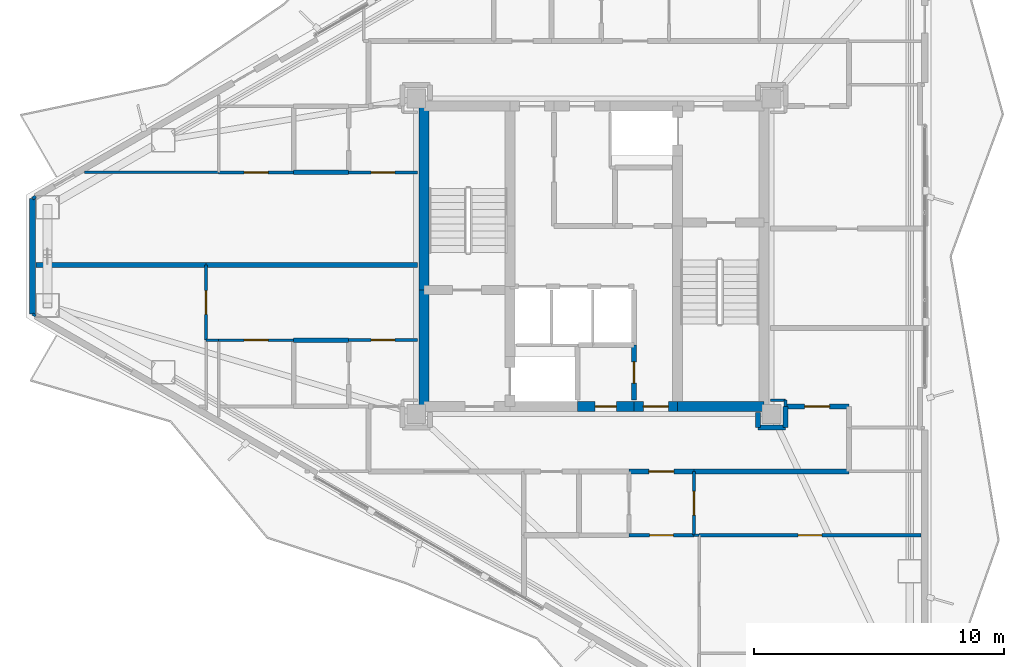
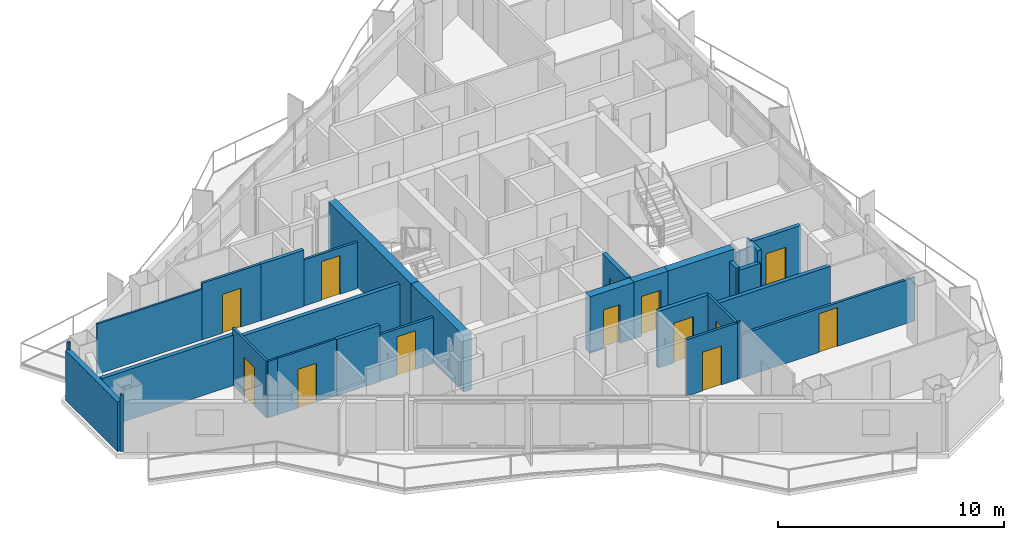
# One storey, part 13 of 19: 32 walls, 13 doors, 13 openings.
"""IFC4 building model written with IfcOpenShell, lengths in metres."""

from ifc_helpers import new_model, si_unit, direction, frame, frame_2d, origin, place, context, subcontext, project, spatial, rectangle, extrude, material, layer, layer_set, type_object, element, fill, save


model = new_model("IFC4")

# Units and contexts
model_context = context("Model", 3, precision=1e-05, world=origin(), true_north=direction((0.0, 1.0)))
body_context = subcontext(model_context, "Body", "Model", "MODEL_VIEW")
ifc_project = project(units=[si_unit("LENGTHUNIT", "METRE"), si_unit("AREAUNIT", "SQUARE_METRE"), si_unit("VOLUMEUNIT", "CUBIC_METRE"), si_unit("PLANEANGLEUNIT", "RADIAN"), si_unit("MASSUNIT", "GRAM", prefix="KILO")], contexts=[model_context])

# Site, building, storey
site_placement = place(None, origin())
site = spatial("IfcSite", under=ifc_project, at=site_placement, CompositionType="ELEMENT")
building_placement = place(site_placement, origin())
building = spatial("IfcBuilding", under=site, at=building_placement, Name="Mersakhor Tower and Convention Hall", CompositionType="ELEMENT")
storey_placement = place(building_placement, frame((0.0, 0.0, 124.5)))
storey = spatial("IfcBuildingStorey", under=building, at=storey_placement, Name="L34", CompositionType="ELEMENT", Elevation=124.5)

# Walls
ifc_material_1 = material(Name="Precast concrete C40/50", Category="concrete")
ifc_layer_1 = layer(ifc_material_1, 0.25)
ifc_layer_set_1 = layer_set([ifc_layer_1], Name="Precast concrete C40/50")
wall_type_1 = type_object("IfcWallType", Name="WL-EXT-250", PredefinedType="SOLIDWALL", material=ifc_layer_set_1)
wall_1_placement = place(storey_placement, frame((6.560302734375, 24.44140625, 0.0), z_axis=(0.0, 0.0, 1.0), x_axis=(0.0, 1.0, 0.0)))
element("IfcWall", 1, at=wall_1_placement, inside=storey, type_object=wall_type_1, Name="L34 Chamfer Braced Spandrel Wall C3", PredefinedType="SOLIDWALL", context=body_context, shape_type="SweptSolid", body=[
    extrude(rectangle(XDim=4.6171875, YDim=0.25, at=frame_2d((2.30859375, 0.0))), origin(), (0.0, 0.0, 1.0), 2.679931640625),
])
ifc_material_2 = material(Name="Moisture-resistant acoustic drywall studwork", Category="other")
ifc_layer_2 = layer(ifc_material_2, 0.175048828125)
ifc_layer_set_2 = layer_set([ifc_layer_2], Name="Moisture-resistant acoustic drywall studwork")
wall_type_2 = type_object("IfcWallType", Name="WL-PLM-175", PredefinedType="PLUMBINGWALL", material=ifc_layer_set_2)
for number, where, z_axis, x_axis, name in (
    (2, (19.199951171875, 30.10009765625, 0.0), (0.0, 0.0, 1.0), (-1.0, 0.0, 0.0), "L34 Interior Partition Wall P-080"),
    (3, (17.0, 23.39990234375, 0.0), (0.0, 0.0, 1.0), (1.0, 0.0, 0.0), "L34 Interior Partition Wall P-085"),
):
    element("IfcWall", number, at=place(storey_placement, frame(where, z_axis=z_axis, x_axis=x_axis)), inside=storey, type_object=wall_type_2, Name=name, PredefinedType="PLUMBINGWALL", context=body_context, shape_type="SweptSolid", body=[
        extrude(rectangle(XDim=2.199951171875, YDim=0.175048828125, at=frame_2d((1.10009765625, 0.0))), origin(), (0.0, 0.0, 1.0), 3.06005859375),
    ])
ifc_material_3 = material(Name="Lightweight gypsum partition", Category="other")
ifc_layer_3 = layer(ifc_material_3, 0.10009765625)
ifc_layer_set_3 = layer_set([ifc_layer_3], Name="Lightweight gypsum partition")
wall_type_3 = type_object("IfcWallType", Name="WL-PRT-100", PredefinedType="PARTITIONING", material=ifc_layer_set_3)
wall_2_placement = place(storey_placement, frame((33.199951171875, 15.60009765625, 0.0), z_axis=(0.0, 0.0, 1.0), x_axis=(-1.0, 0.0, 0.0)))
element("IfcWall", 4, at=wall_2_placement, inside=storey, type_object=wall_type_3, Name="L34 Interior Partition Wall P-078", PredefinedType="PARTITIONING", context=body_context, shape_type="SweptSolid", body=[
    extrude(rectangle(XDim=0.199951171875, YDim=0.10009765625, at=frame_2d((0.10009765625, 0.0))), origin(), (0.0, 0.0, 1.0), 3.06005859375),
])

# Wall, opening, door
wall_3_placement = place(storey_placement, frame((14.0, 23.39990234375, 0.0), z_axis=(0.0, 0.0, 1.0), x_axis=(1.0, 0.0, 0.0)))
wall_3 = element("IfcWall", 5, at=wall_3_placement, inside=storey, type_object=wall_type_3, Name="L34 Interior Partition Wall P-088", PredefinedType="PARTITIONING", context=body_context, shape_type="SweptSolid", body=[
    extrude(rectangle(XDim=3.0, YDim=0.10009765625, at=frame_2d((1.5, 0.0))), origin(), (0.0, 0.0, 1.0), 3.06005859375),
])
opening_1_placement = place(wall_3_placement, frame((1.02490234375, 0.0, 0.0)))
opening_1 = element("IfcOpeningElement", 6, at=opening_1_placement, cuts=wall_3, Name="Opening RD-01", PredefinedType="OPENING", context=body_context, shape_type="SweptSolid", body=[
    extrude(rectangle(XDim=0.949951171875, YDim=2.10009765625, at=frame_2d((0.47509765625, 1.050048828125))), frame((0.0, 0.06005859375, 0.0), z_axis=(0.0, -1.0, 0.0), x_axis=(1.0, 0.0, 0.0)), (0.0, 0.0, 1.0), 0.1201171875),
])
ifc_material_4 = material(Name="Solid-core hardwood leaf in painted steel frame", Category="steel")
door_type_1 = type_object("IfcDoorType", Name="DR-INT-RM-095x210", OperationType="NOTDEFINED", PredefinedType="DOOR", material=ifc_material_4)
door_1_placement = place(opening_1_placement, origin())
door_1 = element("IfcDoor", 7, at=door_1_placement, inside=storey, type_object=door_type_1, Name="L34 L34 Flat W4 Kitchen to L34 Flat W4 Living and Dining Room Door", OperationType="SINGLE_SWING_RIGHT", OverallHeight=2.10009765625, OverallWidth=0.949951171875, PredefinedType="DOOR", context=body_context, shape_type="SweptSolid", body=[
    extrude(rectangle(XDim=0.949951171875, YDim=2.10009765625, at=frame_2d((0.47509765625, 1.050048828125))), frame((0.0, 0.02490234375, 0.0), z_axis=(0.0, -1.0, 0.0), x_axis=(1.0, 0.0, 0.0)), (0.0, 0.0, 1.0), 0.050048828125),
])
fill(opening_1, door_1)

# Walls
wall_4_placement = place(storey_placement, frame((36.64990234375, 21.0, 0.0), z_axis=(0.0, 0.0, 1.0), x_axis=(-1.0, 0.0, 0.0)))
element("IfcWall", 8, at=wall_4_placement, inside=storey, type_object=wall_type_3, Name="L34 Interior Partition Wall P-104", PredefinedType="PARTITIONING", context=body_context, shape_type="SweptSolid", body=[
    extrude(rectangle(XDim=0.599853515625, YDim=0.10009765625, at=frame_2d((0.2998046875, 0.0))), origin(), (0.0, 0.0, 1.0), 2.50830078125),
])
wall_5_placement = place(storey_placement, frame((8.634765625, 30.10009765625, 0.0), z_axis=(0.0, 0.0, 1.0), x_axis=(1.0, 0.0, 0.0)))
element("IfcWall", 9, at=wall_5_placement, inside=storey, type_object=wall_type_3, Name="L34 Interior Partition Wall P-120", PredefinedType="PARTITIONING", context=body_context, shape_type="SweptSolid", body=[
    extrude(rectangle(XDim=5.365234375, YDim=0.10009765625, at=frame_2d((2.6826171875, 0.0))), origin(), (0.0, 0.0, 1.0), 2.724609375),
])
wall_6_placement = place(storey_placement, frame((14.0, 23.39990234375, 0.0), z_axis=(0.0, 0.0, 1.0), x_axis=(-1.0, 0.0, 0.0)))
element("IfcWall", 10, at=wall_6_placement, inside=storey, type_object=wall_type_3, Name="L34 Interior Partition Wall P-124", PredefinedType="PARTITIONING", context=body_context, shape_type="SweptSolid", body=[
    extrude(rectangle(XDim=0.5, YDim=0.10009765625, at=frame_2d((0.25, 0.0))), origin(), (0.0, 0.0, 1.0), 3.06005859375),
])
wall_7_placement = place(storey_placement, frame((6.68994140625, 24.365966796875, 0.0), z_axis=(0.0, 0.0, 1.0), x_axis=(-0.866131372301, 0.499816412211, 0.0)))
element("IfcWall", 11, at=wall_7_placement, inside=storey, type_object=wall_type_3, Name="L34 Interior Partition Wall P-128", PredefinedType="PARTITIONING", context=body_context, shape_type="SweptSolid", body=[
    extrude(rectangle(XDim=0.14990234375, YDim=0.10009765625, at=frame_2d((0.074951171875, 0.0))), origin(), (0.0, 0.0, 1.0), 3.06005859375),
])

# Wall, opening, door
ifc_material_5 = material(Name="Gypsum board acoustic partition", Category="other")
ifc_layer_4 = layer(ifc_material_5, 0.125)
ifc_layer_set_4 = layer_set([ifc_layer_4], Name="Gypsum board acoustic partition")
wall_type_4 = type_object("IfcWallType", Name="WL-PRT-125", PredefinedType="PARTITIONING", material=ifc_layer_set_4)
wall_8_placement = place(storey_placement, frame((33.0, 15.60009765625, 0.0), z_axis=(0.0, 0.0, 1.0), x_axis=(-1.0, 0.0, 0.0)))
wall_8 = element("IfcWall", 12, at=wall_8_placement, inside=storey, type_object=wall_type_4, Name="L34 Interior Partition Wall P-053", PredefinedType="PARTITIONING", context=body_context, shape_type="SweptSolid", body=[
    extrude(rectangle(XDim=2.60009765625, YDim=0.125, at=frame_2d((1.300048828125, 0.0))), origin(), (0.0, 0.0, 1.0), 3.06005859375),
])
opening_2_placement = place(wall_8_placement, frame((0.824951171875, 0.0, 0.0)))
opening_2 = element("IfcOpeningElement", 13, at=opening_2_placement, cuts=wall_8, Name="Opening RD-01", PredefinedType="OPENING", context=body_context, shape_type="SweptSolid", body=[
    extrude(rectangle(XDim=0.949951171875, YDim=2.10009765625, at=frame_2d((0.47509765625, 1.050048828125))), frame((0.0, 0.072509765625, 0.0), z_axis=(0.0, -1.0, 0.0), x_axis=(1.0, 0.0, 0.0)), (0.0, 0.0, 1.0), 0.14501953125),
])
door_2_placement = place(opening_2_placement, origin())
door_2 = element("IfcDoor", 14, at=door_2_placement, inside=storey, type_object=door_type_1, Name="L34 L34 Flat S2 Apartment Hall to L34 Flat S2 Living and Dining Room Door", OperationType="SINGLE_SWING_LEFT", OverallHeight=2.10009765625, OverallWidth=0.949951171875, PredefinedType="DOOR", context=body_context, shape_type="SweptSolid", body=[
    extrude(rectangle(XDim=0.949951171875, YDim=2.10009765625, at=frame_2d((0.47509765625, 1.050048828125))), frame((0.0, 0.02490234375, 0.0), z_axis=(0.0, -1.0, 0.0), x_axis=(1.0, 0.0, 0.0)), (0.0, 0.0, 1.0), 0.050048828125),
])
fill(opening_2, door_2)

wall_9_placement = place(storey_placement, frame((33.0, 18.14990234375, 0.0), z_axis=(0.0, 0.0, 1.0), x_axis=(0.0, -1.0, 0.0)))
wall_9 = element("IfcWall", 15, at=wall_9_placement, inside=storey, type_object=wall_type_4, Name="L34 Interior Partition Wall P-055", PredefinedType="PARTITIONING", context=body_context, shape_type="SweptSolid", body=[
    extrude(rectangle(XDim=2.5498046875, YDim=0.125, at=frame_2d((1.27490234375, 0.0))), origin(), (0.0, 0.0, 1.0), 3.06005859375),
])
opening_3_placement = place(wall_9_placement, frame((0.800048828125, 0.0, 0.0)))
opening_3 = element("IfcOpeningElement", 16, at=opening_3_placement, cuts=wall_9, Name="Opening RD-01", PredefinedType="OPENING", context=body_context, shape_type="SweptSolid", body=[
    extrude(rectangle(XDim=0.949951171875, YDim=2.10009765625, at=frame_2d((0.47509765625, 1.050048828125))), frame((0.0, 0.072509765625, 0.0), z_axis=(0.0, -1.0, 0.0), x_axis=(1.0, 0.0, 0.0)), (0.0, 0.0, 1.0), 0.14501953125),
])
door_3_placement = place(opening_3_placement, origin())
door_3 = element("IfcDoor", 17, at=door_3_placement, inside=storey, type_object=door_type_1, Name="L34 L34 Flat S2 Apartment Hall to L34 Flat S2 Kitchen Door", OperationType="SINGLE_SWING_RIGHT", OverallHeight=2.10009765625, OverallWidth=0.949951171875, PredefinedType="DOOR", context=body_context, shape_type="SweptSolid", body=[
    extrude(rectangle(XDim=0.949951171875, YDim=2.10009765625, at=frame_2d((0.47509765625, 1.050048828125))), frame((0.0, 0.02490234375, 0.0), z_axis=(0.0, -1.0, 0.0), x_axis=(1.0, 0.0, 0.0)), (0.0, 0.0, 1.0), 0.050048828125),
])
fill(opening_3, door_3)

wall_10_placement = place(storey_placement, frame((21.949951171875, 30.10009765625, 0.0), z_axis=(0.0, 0.0, 1.0), x_axis=(-1.0, 0.0, 0.0)))
wall_10 = element("IfcWall", 18, at=wall_10_placement, inside=storey, type_object=wall_type_4, Name="L34 Interior Partition Wall P-057", PredefinedType="PARTITIONING", context=body_context, shape_type="SweptSolid", body=[
    extrude(rectangle(XDim=2.75, YDim=0.125, at=frame_2d((1.375, 0.0))), origin(), (0.0, 0.0, 1.0), 2.50830078125),
])
opening_4_placement = place(wall_10_placement, frame((0.89990234375, 0.0, 0.0)))
opening_4 = element("IfcOpeningElement", 19, at=opening_4_placement, cuts=wall_10, Name="Opening RD-01", PredefinedType="OPENING", context=body_context, shape_type="SweptSolid", body=[
    extrude(rectangle(XDim=0.949951171875, YDim=2.10009765625, at=frame_2d((0.47509765625, 1.050048828125))), frame((0.0, 0.072509765625, 0.0), z_axis=(0.0, -1.0, 0.0), x_axis=(1.0, 0.0, 0.0)), (0.0, 0.0, 1.0), 0.14501953125),
])
door_4_placement = place(opening_4_placement, origin())
door_4 = element("IfcDoor", 20, at=door_4_placement, inside=storey, type_object=door_type_1, Name="L34 L34 Flat W3 Apartment Hall to L34 Flat W3 Studio Living and Sleeping Room Door", OperationType="SINGLE_SWING_LEFT", OverallHeight=2.10009765625, OverallWidth=0.949951171875, PredefinedType="DOOR", context=body_context, shape_type="SweptSolid", body=[
    extrude(rectangle(XDim=0.949951171875, YDim=2.10009765625, at=frame_2d((0.47509765625, 1.050048828125))), frame((0.0, 0.02490234375, 0.0), z_axis=(0.0, -1.0, 0.0), x_axis=(1.0, 0.0, 0.0)), (0.0, 0.0, 1.0), 0.050048828125),
])
fill(opening_4, door_4)

wall_11_placement = place(storey_placement, frame((19.199951171875, 23.39990234375, 0.0), z_axis=(0.0, 0.0, 1.0), x_axis=(1.0, 0.0, 0.0)))
wall_11 = element("IfcWall", 21, at=wall_11_placement, inside=storey, type_object=wall_type_4, Name="L34 Interior Partition Wall P-063", PredefinedType="PARTITIONING", context=body_context, shape_type="SweptSolid", body=[
    extrude(rectangle(XDim=2.75, YDim=0.125, at=frame_2d((1.375, 0.0))), origin(), (0.0, 0.0, 1.0), 2.50830078125),
])
opening_5_placement = place(wall_11_placement, frame((0.89990234375, 0.0, 0.0)))
opening_5 = element("IfcOpeningElement", 22, at=opening_5_placement, cuts=wall_11, Name="Opening RD-01", PredefinedType="OPENING", context=body_context, shape_type="SweptSolid", body=[
    extrude(rectangle(XDim=0.949951171875, YDim=2.10009765625, at=frame_2d((0.47509765625, 1.050048828125))), frame((0.0, 0.072509765625, 0.0), z_axis=(0.0, -1.0, 0.0), x_axis=(1.0, 0.0, 0.0)), (0.0, 0.0, 1.0), 0.14501953125),
])
door_5_placement = place(opening_5_placement, origin())
door_5 = element("IfcDoor", 23, at=door_5_placement, inside=storey, type_object=door_type_1, Name="L34 L34 Flat W4 Apartment Hall to L34 Flat W4 Living and Dining Room Door", OperationType="SINGLE_SWING_LEFT", OverallHeight=2.10009765625, OverallWidth=0.949951171875, PredefinedType="DOOR", context=body_context, shape_type="SweptSolid", body=[
    extrude(rectangle(XDim=0.949951171875, YDim=2.10009765625, at=frame_2d((0.47509765625, 1.050048828125))), frame((0.0, 0.02490234375, 0.0), z_axis=(0.0, -1.0, 0.0), x_axis=(1.0, 0.0, 0.0)), (0.0, 0.0, 1.0), 0.050048828125),
])
fill(opening_5, door_5)

wall_12_placement = place(storey_placement, frame((42.0703125, 15.60009765625, 0.0), z_axis=(0.0, 0.0, 1.0), x_axis=(-1.0, 0.0, 0.0)))
wall_12 = element("IfcWall", 24, at=wall_12_placement, inside=storey, type_object=wall_type_4, Name="L34 Interior Partition Wall P-077", PredefinedType="PARTITIONING", context=body_context, shape_type="SweptSolid", body=[
    extrude(rectangle(XDim=8.870361328125, YDim=0.125, at=frame_2d((4.43505859375, 0.0))), origin(), (0.0, 0.0, 1.0), 2.364990234375),
])
opening_6_placement = place(wall_12_placement, frame((3.960205078125, 0.0, 0.0)))
opening_6 = element("IfcOpeningElement", 25, at=opening_6_placement, cuts=wall_12, Name="Opening RD-01", PredefinedType="OPENING", context=body_context, shape_type="SweptSolid", body=[
    extrude(rectangle(XDim=0.949951171875, YDim=2.10009765625, at=frame_2d((0.47509765625, 1.050048828125))), frame((0.0, 0.072509765625, 0.0), z_axis=(0.0, -1.0, 0.0), x_axis=(1.0, 0.0, 0.0)), (0.0, 0.0, 1.0), 0.14501953125),
])
door_6_placement = place(opening_6_placement, origin())
door_6 = element("IfcDoor", 26, at=door_6_placement, inside=storey, type_object=door_type_1, Name="L34 L34 Flat S2 Kitchen to L34 Flat S2 Dining Room Door", OperationType="SINGLE_SWING_RIGHT", OverallHeight=2.10009765625, OverallWidth=0.949951171875, PredefinedType="DOOR", context=body_context, shape_type="SweptSolid", body=[
    extrude(rectangle(XDim=0.949951171875, YDim=2.10009765625, at=frame_2d((0.47509765625, 1.050048828125))), frame((0.0, 0.02490234375, 0.0), z_axis=(0.0, -1.0, 0.0), x_axis=(1.0, 0.0, 0.0)), (0.0, 0.0, 1.0), 0.050048828125),
])
fill(opening_6, door_6)

wall_13_placement = place(storey_placement, frame((17.0, 30.10009765625, 0.0), z_axis=(0.0, 0.0, 1.0), x_axis=(-1.0, 0.0, 0.0)))
wall_13 = element("IfcWall", 27, at=wall_13_placement, inside=storey, type_object=wall_type_4, Name="L34 Interior Partition Wall P-083", PredefinedType="PARTITIONING", context=body_context, shape_type="SweptSolid", body=[
    extrude(rectangle(XDim=3.0, YDim=0.125, at=frame_2d((1.5, 0.0))), origin(), (0.0, 0.0, 1.0), 3.06005859375),
])
opening_7_placement = place(wall_13_placement, frame((1.02490234375, 0.0, 0.0)))
opening_7 = element("IfcOpeningElement", 28, at=opening_7_placement, cuts=wall_13, Name="Opening RD-01", PredefinedType="OPENING", context=body_context, shape_type="SweptSolid", body=[
    extrude(rectangle(XDim=0.949951171875, YDim=2.10009765625, at=frame_2d((0.47509765625, 1.050048828125))), frame((0.0, 0.072509765625, 0.0), z_axis=(0.0, -1.0, 0.0), x_axis=(1.0, 0.0, 0.0)), (0.0, 0.0, 1.0), 0.14501953125),
])
door_7_placement = place(opening_7_placement, origin())
door_7 = element("IfcDoor", 29, at=door_7_placement, inside=storey, type_object=door_type_1, Name="L34 L34 Flat W3 Kitchen to L34 Flat W3 Studio Living and Sleeping Room Door", OperationType="SINGLE_SWING_LEFT", OverallHeight=2.10009765625, OverallWidth=0.949951171875, PredefinedType="DOOR", context=body_context, shape_type="SweptSolid", body=[
    extrude(rectangle(XDim=0.949951171875, YDim=2.10009765625, at=frame_2d((0.47509765625, 1.050048828125))), frame((0.0, 0.02490234375, 0.0), z_axis=(0.0, -1.0, 0.0), x_axis=(1.0, 0.0, 0.0)), (0.0, 0.0, 1.0), 0.050048828125),
])
fill(opening_7, door_7)

# Walls
wall_14_placement = place(storey_placement, frame((36.64990234375, 20.75, 0.0), z_axis=(0.0, 0.0, 1.0), x_axis=(0.0, 1.0, 0.0)))
element("IfcWall", 30, at=wall_14_placement, inside=storey, type_object=wall_type_4, Name="L34 Interior Partition Wall P-103", PredefinedType="PARTITIONING", context=body_context, shape_type="SweptSolid", body=[
    extrude(rectangle(XDim=0.25, YDim=0.125, at=frame_2d((0.125, 0.0))), origin(), (0.0, 0.0, 1.0), 3.06005859375),
])
wall_15_placement = place(storey_placement, frame((6.56005859375, 29.05908203125, 0.0), z_axis=(0.0, 0.0, 1.0), x_axis=(0.866131372301, 0.499816412211, 0.0)))
element("IfcWall", 31, at=wall_15_placement, inside=storey, type_object=wall_type_4, Name="L34 Interior Partition Wall P-123", PredefinedType="PARTITIONING", context=body_context, shape_type="SweptSolid", body=[
    extrude(rectangle(XDim=0.14990234375, YDim=0.125, at=frame_2d((0.074951171875, 0.0))), origin(), (0.0, 0.0, 1.0), 3.06005859375),
])

# Wall, opening, door
wall_16_placement = place(storey_placement, frame((13.5, 23.39990234375, 0.0), z_axis=(0.0, 0.0, 1.0), x_axis=(0.0, 1.0, 0.0)))
wall_16 = element("IfcWall", 32, at=wall_16_placement, inside=storey, type_object=wall_type_4, Name="L34 Interior Partition Wall P-125", PredefinedType="PARTITIONING", context=body_context, shape_type="SweptSolid", body=[
    extrude(rectangle(XDim=3.0, YDim=0.125, at=frame_2d((1.5, 0.0))), origin(), (0.0, 0.0, 1.0), 3.06005859375),
])
opening_8_placement = place(wall_16_placement, frame((1.02490234375, 0.0, 0.0)))
opening_8 = element("IfcOpeningElement", 33, at=opening_8_placement, cuts=wall_16, Name="Opening RD-01", PredefinedType="OPENING", context=body_context, shape_type="SweptSolid", body=[
    extrude(rectangle(XDim=0.949951171875, YDim=2.10009765625, at=frame_2d((0.47509765625, 1.050048828125))), frame((0.0, 0.072509765625, 0.0), z_axis=(0.0, -1.0, 0.0), x_axis=(1.0, 0.0, 0.0)), (0.0, 0.0, 1.0), 0.14501953125),
])
door_8_placement = place(opening_8_placement, origin())
door_8 = element("IfcDoor", 34, at=door_8_placement, inside=storey, type_object=door_type_1, Name="L34 L34 Flat W4 Living and Dining Room to L34 Flat W4 Bedroom 1 Door", OperationType="SINGLE_SWING_LEFT", OverallHeight=2.10009765625, OverallWidth=0.949951171875, PredefinedType="DOOR", context=body_context, shape_type="SweptSolid", body=[
    extrude(rectangle(XDim=0.949951171875, YDim=2.10009765625, at=frame_2d((0.47509765625, 1.050048828125))), frame((0.0, 0.02490234375, 0.0), z_axis=(0.0, -1.0, 0.0), x_axis=(1.0, 0.0, 0.0)), (0.0, 0.0, 1.0), 0.050048828125),
])
fill(opening_8, door_8)

ifc_material_6 = material(Name="Acoustic concrete blockwork and gypsum board", Category="masonry")
ifc_layer_5 = layer(ifc_material_6, 0.199951171875)
ifc_layer_set_5 = layer_set([ifc_layer_5], Name="Acoustic concrete blockwork and gypsum board")
wall_type_5 = type_object("IfcWallType", Name="WL-PRT-200", PredefinedType="PARTITIONING", material=ifc_layer_set_5)
wall_17_placement = place(storey_placement, frame((30.60009765625, 21.0, 0.0), z_axis=(0.0, 0.0, 1.0), x_axis=(0.0, 1.0, 0.0)))
wall_17 = element("IfcWall", 35, at=wall_17_placement, inside=storey, type_object=wall_type_5, Name="L34 Interior Partition Wall P-012", PredefinedType="PARTITIONING", context=body_context, shape_type="SweptSolid", body=[
    extrude(rectangle(XDim=2.199951171875, YDim=0.199951171875, at=frame_2d((1.10009765625, 0.0))), origin(), (0.0, 0.0, 1.0), 3.06005859375),
])
opening_9_placement = place(wall_17_placement, frame((0.675048828125, 0.0, 0.0)))
opening_9 = element("IfcOpeningElement", 36, at=opening_9_placement, cuts=wall_17, Name="Opening SVD-01", PredefinedType="OPENING", context=body_context, shape_type="SweptSolid", body=[
    extrude(rectangle(XDim=0.85009765625, YDim=2.10009765625, at=frame_2d((0.425048828125, 1.050048828125))), frame((0.0, 0.10986328125, 0.0), z_axis=(0.0, -1.0, 0.0), x_axis=(1.0, 0.0, 0.0)), (0.0, 0.0, 1.0), 0.219970703125),
])
ifc_material_7 = material(Name="Fire-rated hardwood leaf and painted steel frame", Category="steel")
door_type_2 = type_object("IfcDoorType", Name="DR-INT-SVC-085x210", OperationType="NOTDEFINED", PredefinedType="DOOR", material=ifc_material_7)
door_9_placement = place(opening_9_placement, origin())
door_9 = element("IfcDoor", 37, at=door_9_placement, inside=storey, type_object=door_type_2, Name="L34 Central Passenger Lift Lobby to Electrical Switchroom Door", OperationType="SINGLE_SWING_LEFT", OverallHeight=2.10009765625, OverallWidth=0.85009765625, PredefinedType="DOOR", context=body_context, shape_type="SweptSolid", body=[
    extrude(rectangle(XDim=0.85009765625, YDim=2.10009765625, at=frame_2d((0.425048828125, 1.050048828125))), frame((0.0, 0.02490234375, 0.0), z_axis=(0.0, -1.0, 0.0), x_axis=(1.0, 0.0, 0.0)), (0.0, 0.0, 1.0), 0.050048828125),
])
fill(opening_9, door_9)

# Walls
wall_18_placement = place(storey_placement, frame((35.550048828125, 20.5, 0.0), z_axis=(0.0, 0.0, 1.0), x_axis=(0.0, -1.0, 0.0)))
element("IfcWall", 38, at=wall_18_placement, inside=storey, type_object=wall_type_5, Name="L34 Interior Partition Wall P-034", PredefinedType="PARTITIONING", context=body_context, shape_type="SweptSolid", body=[
    extrude(rectangle(XDim=0.60009765625, YDim=0.199951171875, at=frame_2d((0.300048828125, 0.0))), origin(), (0.0, 0.0, 1.0), 2.50830078125),
])
wall_19_placement = place(storey_placement, frame((35.550048828125, 19.89990234375, 0.0), z_axis=(0.0, 0.0, 1.0), x_axis=(1.0, 0.0, 0.0)))
element("IfcWall", 39, at=wall_19_placement, inside=storey, type_object=wall_type_5, Name="L34 Interior Partition Wall P-035", PredefinedType="PARTITIONING", context=body_context, shape_type="SweptSolid", body=[
    extrude(rectangle(XDim=1.099853515625, YDim=0.199951171875, at=frame_2d((0.5498046875, 0.0))), origin(), (0.0, 0.0, 1.0), 2.432861328125),
])
wall_20_placement = place(storey_placement, frame((36.64990234375, 19.89990234375, 0.0), z_axis=(0.0, 0.0, 1.0), x_axis=(0.0, 1.0, 0.0)))
element("IfcWall", 40, at=wall_20_placement, inside=storey, type_object=wall_type_5, Name="L34 Interior Partition Wall P-036", PredefinedType="PARTITIONING", context=body_context, shape_type="SweptSolid", body=[
    extrude(rectangle(XDim=0.85009765625, YDim=0.199951171875, at=frame_2d((0.425048828125, 0.0))), origin(), (0.0, 0.0, 1.0), 3.06005859375),
])

# Wall, opening, door
wall_21_placement = place(storey_placement, frame((36.64990234375, 20.75, 0.0), z_axis=(0.0, 0.0, 1.0), x_axis=(1.0, 0.0, 0.0)))
wall_21 = element("IfcWall", 41, at=wall_21_placement, inside=storey, type_object=wall_type_5, Name="L34 Interior Partition Wall P-037", PredefinedType="PARTITIONING", context=body_context, shape_type="SweptSolid", body=[
    extrude(rectangle(XDim=2.550048828125, YDim=0.199951171875, at=frame_2d((1.27490234375, 0.0))), origin(), (0.0, 0.0, 1.0), 3.06005859375),
])
opening_10_placement = place(wall_21_placement, frame((0.77490234375, 0.0, 0.0)))
opening_10 = element("IfcOpeningElement", 42, at=opening_10_placement, cuts=wall_21, Name="Opening FD-01", PredefinedType="OPENING", context=body_context, shape_type="SweptSolid", body=[
    extrude(rectangle(XDim=1.0, YDim=2.14990234375, at=frame_2d((0.5, 1.074951171875))), frame((0.0, 0.10986328125, 0.0), z_axis=(0.0, -1.0, 0.0), x_axis=(1.0, 0.0, 0.0)), (0.0, 0.0, 1.0), 0.219970703125),
])
ifc_material_8 = material(Name="Fire-rated hardwood leaf and painted steel frame", Category="steel")
door_type_3 = type_object("IfcDoorType", Name="DR-INT-FLT-100x215", OperationType="NOTDEFINED", PredefinedType="DOOR", material=ifc_material_8)
door_10_placement = place(opening_10_placement, origin())
door_10 = element("IfcDoor", 43, at=door_10_placement, inside=storey, type_object=door_type_3, Name="L34 Residential South Gallery Corridor to L34 East Wing Communal Laundry Room Door", OperationType="SINGLE_SWING_LEFT", OverallHeight=2.14990234375, OverallWidth=1.0, PredefinedType="DOOR", context=body_context, shape_type="SweptSolid", body=[
    extrude(rectangle(XDim=1.0, YDim=2.14990234375, at=frame_2d((0.5, 1.074951171875))), frame((0.0, 0.02490234375, 0.0), z_axis=(0.0, -1.0, 0.0), x_axis=(1.0, 0.0, 0.0)), (0.0, 0.0, 1.0), 0.050048828125),
])
fill(opening_10, door_10)

# Wall
wall_22_placement = place(storey_placement, frame((39.199951171875, 18.14990234375, 0.0), z_axis=(0.0, 0.0, 1.0), x_axis=(-1.0, 0.0, 0.0)))
element("IfcWall", 44, at=wall_22_placement, inside=storey, type_object=wall_type_5, Name="L34 Interior Partition Wall P-040", PredefinedType="PARTITIONING", context=body_context, shape_type="SweptSolid", body=[
    extrude(rectangle(XDim=6.199951171875, YDim=0.199951171875, at=frame_2d((3.10009765625, 0.0))), origin(), (0.0, 0.0, 1.0), 2.432861328125),
])

# Wall, opening, door
wall_23_placement = place(storey_placement, frame((33.0, 18.14990234375, 0.0), z_axis=(0.0, 0.0, 1.0), x_axis=(-1.0, 0.0, 0.0)))
wall_23 = element("IfcWall", 45, at=wall_23_placement, inside=storey, type_object=wall_type_5, Name="L34 Interior Partition Wall P-041", PredefinedType="PARTITIONING", context=body_context, shape_type="SweptSolid", body=[
    extrude(rectangle(XDim=2.60009765625, YDim=0.199951171875, at=frame_2d((1.300048828125, 0.0))), origin(), (0.0, 0.0, 1.0), 3.06005859375),
])
opening_11_placement = place(wall_23_placement, frame((0.800048828125, 0.0, 0.0)))
opening_11 = element("IfcOpeningElement", 46, at=opening_11_placement, cuts=wall_23, Name="Opening FD-01", PredefinedType="OPENING", context=body_context, shape_type="SweptSolid", body=[
    extrude(rectangle(XDim=1.0, YDim=2.14990234375, at=frame_2d((0.5, 1.074951171875))), frame((0.0, 0.10986328125, 0.0), z_axis=(0.0, -1.0, 0.0), x_axis=(1.0, 0.0, 0.0)), (0.0, 0.0, 1.0), 0.219970703125),
])
door_11_placement = place(opening_11_placement, origin())
door_11 = element("IfcDoor", 47, at=door_11_placement, inside=storey, type_object=door_type_3, Name="L34 Apartment Entrance Door (Residential South Gallery Corridor to L34 Flat S2 Apartment Hall)", OperationType="SINGLE_SWING_RIGHT", OverallHeight=2.14990234375, OverallWidth=1.0, PredefinedType="DOOR", context=body_context, shape_type="SweptSolid", body=[
    extrude(rectangle(XDim=1.0, YDim=2.14990234375, at=frame_2d((0.5, 1.074951171875))), frame((0.0, 0.02490234375, 0.0), z_axis=(0.0, -1.0, 0.0), x_axis=(1.0, 0.0, 0.0)), (0.0, 0.0, 1.0), 0.050048828125),
])
fill(opening_11, door_11)

# Walls
wall_24_placement = place(storey_placement, frame((21.949951171875, 26.39990234375, 0.0), z_axis=(0.0, 0.0, 1.0), x_axis=(-1.0, 0.0, 0.0)))
element("IfcWall", 48, at=wall_24_placement, inside=storey, type_object=wall_type_5, Name="L34 Interior Partition Wall P-121", PredefinedType="PARTITIONING", context=body_context, shape_type="SweptSolid", body=[
    extrude(rectangle(XDim=8.449951171875, YDim=0.199951171875, at=frame_2d((4.22509765625, 0.0))), origin(), (0.0, 0.0, 1.0), 2.50830078125),
])
wall_25_placement = place(storey_placement, frame((13.5, 26.39990234375, 0.0), z_axis=(0.0, 0.0, 1.0), x_axis=(-1.0, 0.0, 0.0)))
element("IfcWall", 49, at=wall_25_placement, inside=storey, type_object=wall_type_5, Name="L34 Interior Partition Wall P-122", PredefinedType="PARTITIONING", context=body_context, shape_type="SweptSolid", body=[
    extrude(rectangle(XDim=6.790771484375, YDim=0.199951171875, at=frame_2d((3.3955078125, 0.0))), origin(), (0.0, 0.0, 1.0), 2.724609375),
])
ifc_material_9 = material(Name="Concrete C60/75", Category="concrete")
ifc_layer_6 = layer(ifc_material_9, 0.39990234375)
ifc_layer_set_6 = layer_set([ifc_layer_6], Name="Concrete C60/75")
wall_type_6 = type_object("IfcWallType", Name="WL-SHR-400", PredefinedType="SHEAR", material=ifc_layer_set_6)
wall_26_placement = place(storey_placement, frame((22.199951171875, 20.75, 0.0), z_axis=(0.0, 0.0, 1.0), x_axis=(0.0, 1.0, 0.0)))
element("IfcWall", 50, at=wall_26_placement, inside=storey, type_object=wall_type_6, Name="L34 Core Wall CW-W1", PredefinedType="SHEAR", context=body_context, shape_type="SweptSolid", body=[
    extrude(rectangle(XDim=4.64990234375, YDim=0.39990234375, at=frame_2d((2.324951171875, 0.0))), origin(), (0.0, 0.0, 1.0), 3.06005859375),
])
wall_27_placement = place(storey_placement, frame((22.199951171875, 25.39990234375, 0.0), z_axis=(0.0, 0.0, 1.0), x_axis=(0.0, 1.0, 0.0)))
element("IfcWall", 51, at=wall_27_placement, inside=storey, type_object=wall_type_6, Name="L34 Core Wall CW-W2", PredefinedType="SHEAR", context=body_context, shape_type="SweptSolid", body=[
    extrude(rectangle(XDim=7.35009765625, YDim=0.39990234375, at=frame_2d((3.675048828125, 0.0))), origin(), (0.0, 0.0, 1.0), 3.06005859375),
])
wall_28_placement = place(storey_placement, frame((35.800048828125, 20.75, 0.0), z_axis=(0.0, 0.0, 1.0), x_axis=(-1.0, 0.0, 0.0)))
element("IfcWall", 52, at=wall_28_placement, inside=storey, type_object=wall_type_6, Name="L34 Core Wall CW-S1", PredefinedType="SHEAR", context=body_context, shape_type="SweptSolid", body=[
    extrude(rectangle(XDim=3.449951171875, YDim=0.39990234375, at=frame_2d((1.72509765625, 0.0))), origin(), (0.0, 0.0, 1.0), 3.06005859375),
])

# Wall, opening, door
wall_29_placement = place(storey_placement, frame((32.35009765625, 20.75, 0.0), z_axis=(0.0, 0.0, 1.0), x_axis=(-1.0, 0.0, 0.0)))
wall_29 = element("IfcWall", 53, at=wall_29_placement, inside=storey, type_object=wall_type_6, Name="L34 Core Wall CW-S2A", PredefinedType="SHEAR", context=body_context, shape_type="SweptSolid", body=[
    extrude(rectangle(XDim=1.75, YDim=0.39990234375, at=frame_2d((0.875, 0.0))), origin(), (0.0, 0.0, 1.0), 3.06005859375),
])
opening_12_placement = place(wall_29_placement, frame((0.375, 0.0, 0.0)))
opening_12 = element("IfcOpeningElement", 54, at=opening_12_placement, cuts=wall_29, Name="Opening CFD-01", PredefinedType="OPENING", context=body_context, shape_type="SweptSolid", body=[
    extrude(rectangle(XDim=1.0, YDim=2.14990234375, at=frame_2d((0.5, 1.074951171875))), frame((0.0, 0.2099609375, 0.0), z_axis=(0.0, -1.0, 0.0), x_axis=(1.0, 0.0, 0.0)), (0.0, 0.0, 1.0), 0.419921875),
])
ifc_material_10 = material(Name="Fire-rated hardwood leaf and painted steel frame", Category="steel")
door_type_4 = type_object("IfcDoorType", Name="DR-CORE-FD-100x215", OperationType="NOTDEFINED", PredefinedType="DOOR", material=ifc_material_10)
door_12_placement = place(opening_12_placement, origin())
door_12 = element("IfcDoor", 55, at=door_12_placement, inside=storey, type_object=door_type_4, Name="L34 Lift Lobby South Corridor Door", OperationType="SINGLE_SWING_RIGHT", OverallHeight=2.14990234375, OverallWidth=1.0, PredefinedType="DOOR", context=body_context, shape_type="SweptSolid", body=[
    extrude(rectangle(XDim=1.0, YDim=2.14990234375, at=frame_2d((0.5, 1.074951171875))), frame((0.0, 0.02490234375, 0.0), z_axis=(0.0, -1.0, 0.0), x_axis=(1.0, 0.0, 0.0)), (0.0, 0.0, 1.0), 0.050048828125),
])
fill(opening_12, door_12)

wall_30_placement = place(storey_placement, frame((30.60009765625, 20.75, 0.0), z_axis=(0.0, 0.0, 1.0), x_axis=(-1.0, 0.0, 0.0)))
wall_30 = element("IfcWall", 56, at=wall_30_placement, inside=storey, type_object=wall_type_6, Name="L34 Core Wall CW-S2B", PredefinedType="SHEAR", context=body_context, shape_type="SweptSolid", body=[
    extrude(rectangle(XDim=2.25, YDim=0.39990234375, at=frame_2d((1.125, 0.0))), origin(), (0.0, 0.0, 1.0), 3.06005859375),
])
opening_13_placement = place(wall_30_placement, frame((0.699951171875, 0.0, 0.0)))
opening_13 = element("IfcOpeningElement", 57, at=opening_13_placement, cuts=wall_30, Name="Opening SVD-01", PredefinedType="OPENING", context=body_context, shape_type="SweptSolid", body=[
    extrude(rectangle(XDim=0.85009765625, YDim=2.10009765625, at=frame_2d((0.425048828125, 1.050048828125))), frame((0.0, 0.2099609375, 0.0), z_axis=(0.0, -1.0, 0.0), x_axis=(1.0, 0.0, 0.0)), (0.0, 0.0, 1.0), 0.419921875),
])
door_13_placement = place(opening_13_placement, origin())
door_13 = element("IfcDoor", 58, at=door_13_placement, inside=storey, type_object=door_type_2, Name="L34 Residential South Gallery Corridor to Electrical Switchroom Door", OperationType="SINGLE_SWING_LEFT", OverallHeight=2.10009765625, OverallWidth=0.85009765625, PredefinedType="DOOR", context=body_context, shape_type="SweptSolid", body=[
    extrude(rectangle(XDim=0.85009765625, YDim=2.10009765625, at=frame_2d((0.425048828125, 1.050048828125))), frame((0.0, 0.02490234375, 0.0), z_axis=(0.0, -1.0, 0.0), x_axis=(1.0, 0.0, 0.0)), (0.0, 0.0, 1.0), 0.050048828125),
])
fill(opening_13, door_13)

save(model, "model.ifc")
